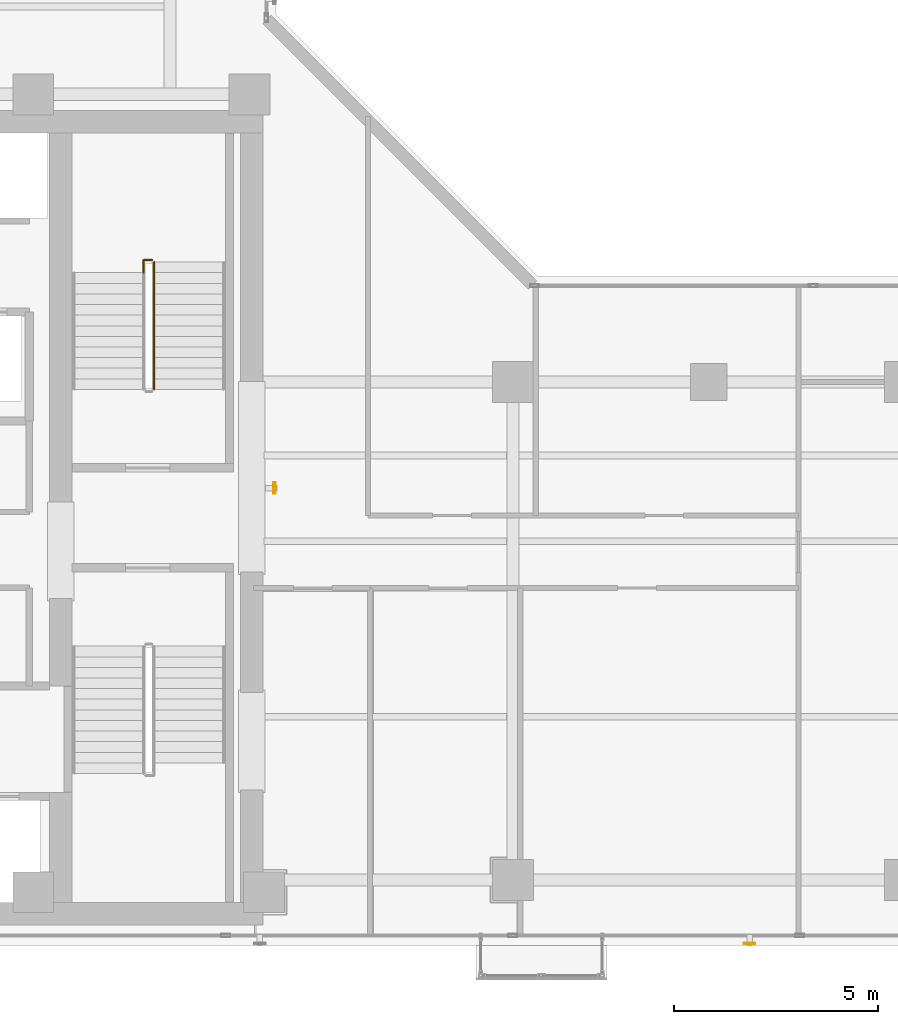
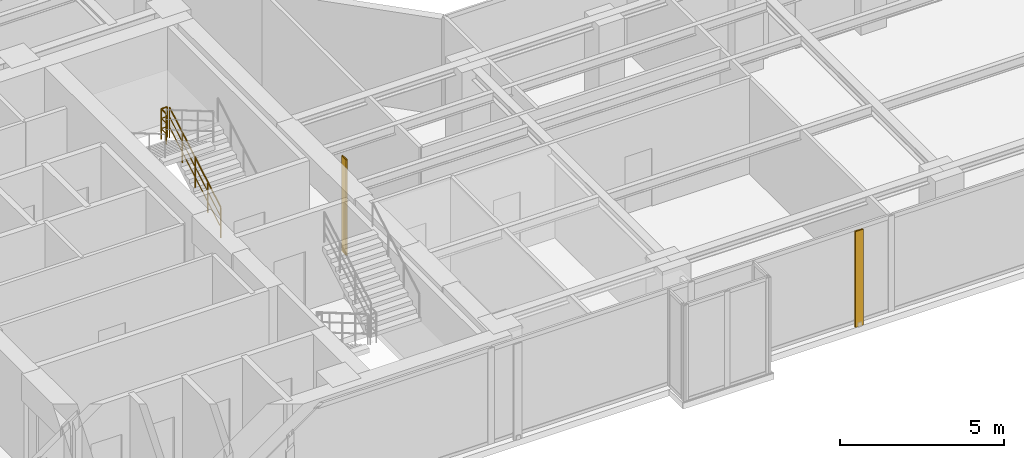
# One storey, part 21 of 23: 2 railings, 2 shading devices.
"""IFC4 building model written with IfcOpenShell, lengths in metres."""

from ifc_helpers import new_model, si_unit, direction, frame, origin, origin_2d, place, context, subcontext, project, spatial, hollow_rectangle, circle, extrude, material, material_profile, profile_set, type_object, element, save


model = new_model("IFC4")

# Units and contexts
model_context = context("Model", 3, precision=1e-05, world=origin(), true_north=direction((0.0, 1.0)))
body_context = subcontext(model_context, "Body", "Model", "MODEL_VIEW")
ifc_project = project(units=[si_unit("LENGTHUNIT", "METRE"), si_unit("AREAUNIT", "SQUARE_METRE"), si_unit("VOLUMEUNIT", "CUBIC_METRE"), si_unit("PLANEANGLEUNIT", "RADIAN"), si_unit("MASSUNIT", "GRAM", prefix="KILO")], contexts=[model_context])

# Site, building, storey
site_placement = place(None, origin())
site = spatial("IfcSite", under=ifc_project, at=site_placement, CompositionType="ELEMENT")
building_placement = place(site_placement, origin())
building = spatial("IfcBuilding", under=site, at=building_placement, Name="Kolvaren Waterfront Exchange", CompositionType="ELEMENT")
storey_placement = place(building_placement, frame((0.0, 0.0, 231.10009765625)))
storey = spatial("IfcBuildingStorey", under=building, at=storey_placement, Name="L59", CompositionType="ELEMENT", Elevation=231.10009765625)

# Shading devices
ifc_material_1 = material(Name="Anodised bronze aluminium 6063-T6", Category="aluminium")
ifc_material_profile = material_profile(ifc_material_1, hollow_rectangle(XDim=0.054931640625, YDim=0.280029296875, WallThickness=0.00439453125, at=origin_2d()), Name="BRZ-FIN-280x55x4.5")
ifc_profile_set = profile_set([ifc_material_profile], Name="Anodised bronze aluminium 6063-T6")
shading_device_type = type_object("IfcShadingDeviceType", Name="ARC-FIN-280", PredefinedType="USERDEFINED", material=ifc_profile_set)
for number, where, z_axis, x_axis, name in (
    (1, (33.0, 3.639892578125, 0.0), (0.0, 0.0, 1.0), (0.0, -1.0, 0.0), "L59 anodised bronze solar shading fin FIN-L59-S3"),
    (2, (21.360107421875, 14.800048828125, 0.0), (0.0, 0.0, 1.0), (1.0, 0.0, 0.0), "L59 anodised bronze solar shading fin FIN-L59-E1"),
):
    element("IfcShadingDevice", number, at=place(storey_placement, frame(where, z_axis=z_axis, x_axis=x_axis)), inside=storey, type_object=shading_device_type, Name=name, ObjectType="SOLAR FIN", PredefinedType="USERDEFINED", context=body_context, shape_type="SweptSolid", body=[
        extrude(hollow_rectangle(XDim=0.054931640625, YDim=0.280029296875, WallThickness=0.00439453125, at=origin_2d()), origin(), (0.0, 0.0, 1.0), 3.559814453125),
    ])

# Railings
ifc_material_2 = material(Name="Stainless steel 316", Category="steel")
railing_type = type_object("IfcRailingType", Name="ARC-GUARD-STAIR", PredefinedType="GUARDRAIL", material=ifc_material_2)
railing_1_placement = place(storey_placement, frame((18.409912109375, 17.219970703125, 0.15185546875)))
element("IfcRailing", 3, at=railing_1_placement, inside=storey, type_object=railing_type, Name="L59 ST2 stair guard 1", PredefinedType="GUARDRAIL", context=body_context, shape_type="SweptSolid", body=[
    extrude(circle(Radius=0.02392578125, at=origin_2d()), frame((0.0, 0.0, 1.1259765625), z_axis=(0.0, 0.86330811405, 0.504677223793), x_axis=(-1.0, 0.0, 0.0)), (0.0, 0.0, 1.0), 3.6142578125),
    extrude(circle(Radius=0.01611328125, at=origin_2d()), frame((0.0, 0.0, 0.390869140625), z_axis=(0.0, 0.86330811405, 0.504677223793), x_axis=(-1.0, 0.0, 0.0)), (0.0, 0.0, 1.0), 3.6142578125),
    extrude(circle(Radius=0.01611328125, at=origin_2d()), frame((0.0, 0.0, 0.7705078125), z_axis=(0.0, 0.86330811405, 0.504677223793), x_axis=(-1.0, 0.0, 0.0)), (0.0, 0.0, 1.0), 3.6142578125),
    extrude(circle(Radius=0.02099609375, at=origin_2d()), origin(), (0.0, 0.0, 1.0), 1.101806640625),
    extrude(circle(Radius=0.02099609375, at=origin_2d()), frame((0.0, 0.780029296875, 0.4560546875)), (0.0, 0.0, 1.0), 1.101806640625),
    extrude(circle(Radius=0.02099609375, at=origin_2d()), frame((0.0, 1.56005859375, 0.912109375)), (0.0, 0.0, 1.0), 1.101806640625),
    extrude(circle(Radius=0.02099609375, at=origin_2d()), frame((0.0, 2.340087890625, 1.367919921875)), (0.0, 0.0, 1.0), 1.101806640625),
    extrude(circle(Radius=0.02099609375, at=origin_2d()), frame((0.0, 3.1201171875, 1.823974609375)), (0.0, 0.0, 1.0), 1.101806640625),
])
railing_2_placement = place(storey_placement, frame((18.360107421875, 20.389892578125, 1.975830078125)))
element("IfcRailing", 4, at=railing_2_placement, inside=storey, type_object=railing_type, Name="L59 ST2 stair guard 2", PredefinedType="GUARDRAIL", context=body_context, shape_type="SweptSolid", body=[
    extrude(circle(Radius=0.02392578125, at=origin_2d()), frame((0.0, 0.0, 1.1259765625), z_axis=(-1.0, 0.0, 0.0), x_axis=(0.0, -1.0, 0.0)), (0.0, 0.0, 1.0), 0.210205078125),
    extrude(circle(Radius=0.01611328125, at=origin_2d()), frame((0.0, 0.0, 0.390869140625), z_axis=(-1.0, 0.0, 0.0), x_axis=(0.0, -1.0, 0.0)), (0.0, 0.0, 1.0), 0.210205078125),
    extrude(circle(Radius=0.01611328125, at=origin_2d()), frame((0.0, 0.0, 0.7705078125), z_axis=(-1.0, 0.0, 0.0), x_axis=(0.0, -1.0, 0.0)), (0.0, 0.0, 1.0), 0.210205078125),
    extrude(circle(Radius=0.02392578125, at=origin_2d()), frame((-0.210205078125, 0.0, 1.1259765625), z_axis=(0.0, -1.0, 0.0), x_axis=(1.0, 0.0, 0.0)), (0.0, 0.0, 1.0), 0.309814453125),
    extrude(circle(Radius=0.01611328125, at=origin_2d()), frame((-0.210205078125, 0.0, 0.390869140625), z_axis=(0.0, -1.0, 0.0), x_axis=(1.0, 0.0, 0.0)), (0.0, 0.0, 1.0), 0.309814453125),
    extrude(circle(Radius=0.01611328125, at=origin_2d()), frame((-0.210205078125, 0.0, 0.7705078125), z_axis=(0.0, -1.0, 0.0), x_axis=(1.0, 0.0, 0.0)), (0.0, 0.0, 1.0), 0.309814453125),
    extrude(circle(Radius=0.02099609375, at=origin_2d()), origin(), (0.0, 0.0, 1.0), 1.101806640625),
    extrude(circle(Radius=0.02099609375, at=origin_2d()), frame((-0.210205078125, 0.0, 0.0)), (0.0, 0.0, 1.0), 1.101806640625),
    extrude(circle(Radius=0.02099609375, at=origin_2d()), frame((-0.210205078125, -0.309814453125, 0.0)), (0.0, 0.0, 1.0), 1.101806640625),
])

save(model, "model.ifc")
